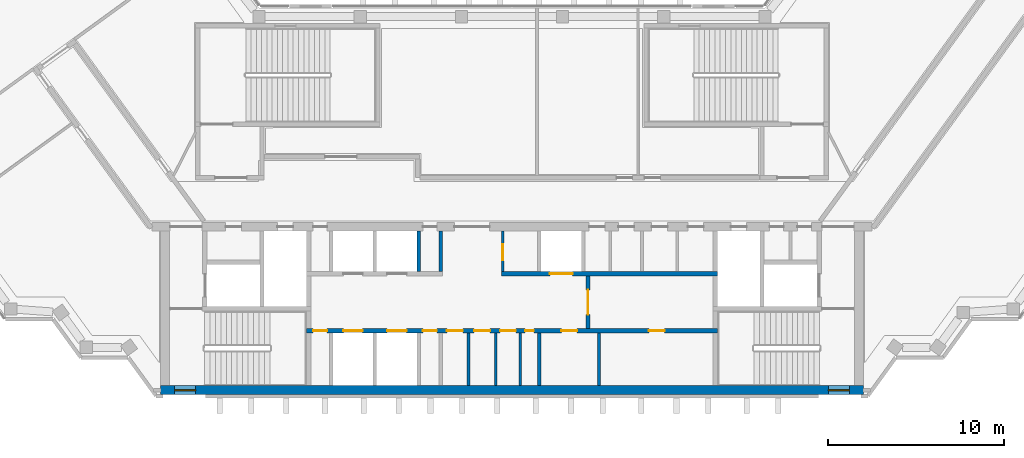
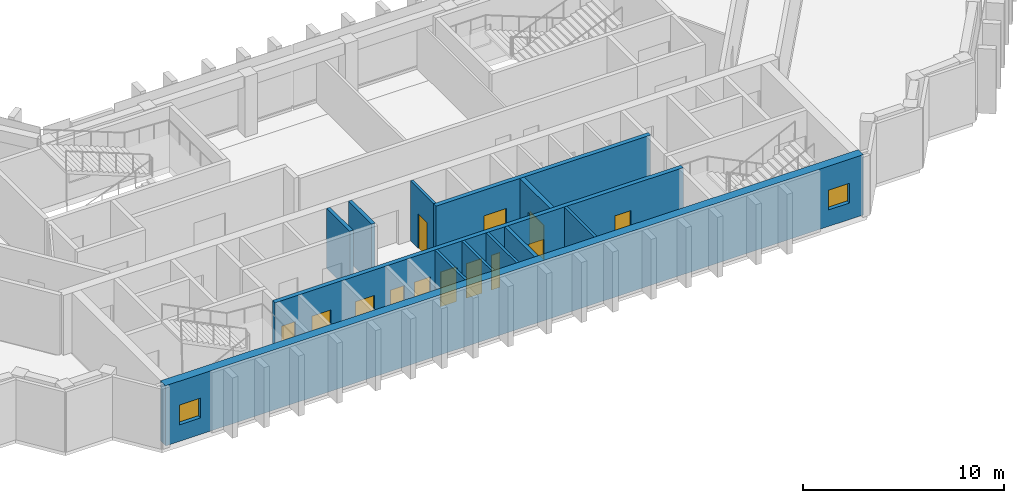
# One storey, part 4 of 8: 13 doors, 12 walls, 2 windows, 15 openings.
"""IFC4 building model written with IfcOpenShell, lengths in metres."""

from ifc_helpers import new_model, si_unit, direction, frame, frame_2d, origin, place, context, subcontext, project, spatial, rectangle, extrude, material, layer, layer_set, type_object, element, fill, save


model = new_model("IFC4")

# Units and contexts
model_context = context("Model", 3, precision=1e-05, world=origin(), true_north=direction((0.0, 1.0)))
body_context = subcontext(model_context, "Body", "Model", "MODEL_VIEW")
ifc_project = project(units=[si_unit("LENGTHUNIT", "METRE"), si_unit("AREAUNIT", "SQUARE_METRE"), si_unit("VOLUMEUNIT", "CUBIC_METRE"), si_unit("PLANEANGLEUNIT", "RADIAN"), si_unit("MASSUNIT", "GRAM", prefix="KILO")], contexts=[model_context])

# Site, building, storey
site_placement = place(None, origin())
site = spatial("IfcSite", under=ifc_project, at=site_placement, CompositionType="ELEMENT")
building_placement = place(site_placement, origin())
building = spatial("IfcBuilding", under=site, at=building_placement, Name="Quipu Civic Tower", CompositionType="ELEMENT")
storey_placement = place(building_placement, frame((0.0, 0.0, 289.0)))
storey = spatial("IfcBuildingStorey", under=building, at=storey_placement, Name="L67", CompositionType="ELEMENT", Elevation=289.0)

# Wall, openings, doors
ifc_material_1 = material(Name="Concrete C70/85", Category="concrete")
ifc_layer_1 = layer(ifc_material_1, 0.25)
ifc_layer_set_1 = layer_set([ifc_layer_1], Name="Concrete C70/85")
wall_type_1 = type_object("IfcWallType", Name="Core wall 250", PredefinedType="SHEAR", material=ifc_layer_set_1)
wall_1_placement = place(storey_placement, frame((11.699951171875, -7.375, 0.0), z_axis=(0.0, 0.0, 1.0), x_axis=(-1.0, 0.0, 0.0)))
wall_1 = element("IfcWall", 1, at=wall_1_placement, inside=storey, type_object=wall_type_1, Name="Core wall", PredefinedType="SHEAR", context=body_context, shape_type="SweptSolid", body=[
    extrude(rectangle(XDim=23.39990234375, YDim=0.25, at=frame_2d((11.699951171875, 0.0))), origin(), (0.0, 0.0, 1.0), 3.64990234375),
])
opening_1_placement = place(wall_1_placement, frame((22.22509765625, 0.0, 0.0)))
opening_1 = element("IfcOpeningElement", 2, at=opening_1_placement, cuts=wall_1, Name="Opening CD-01", PredefinedType="OPENING", context=body_context, shape_type="SweptSolid", body=[
    extrude(rectangle(XDim=0.800048828125, YDim=2.10009765625, at=frame_2d((0.39990234375, 1.050048828125))), frame((0.0, 0.135009765625, 0.0), z_axis=(0.0, -1.0, 0.0), x_axis=(1.0, 0.0, 0.0)), (0.0, 0.0, 1.0), 0.27001953125),
])
opening_2_placement = place(wall_1_placement, frame((20.199951171875, 0.0, 0.0)))
opening_2 = element("IfcOpeningElement", 3, at=opening_2_placement, cuts=wall_1, Name="Opening LD-HL1", PredefinedType="OPENING", context=body_context, shape_type="SweptSolid", body=[
    extrude(rectangle(XDim=1.10009765625, YDim=2.10009765625, at=frame_2d((0.550048828125, 1.050048828125))), frame((0.0, 0.135009765625, 0.0), z_axis=(0.0, -1.0, 0.0), x_axis=(1.0, 0.0, 0.0)), (0.0, 0.0, 1.0), 0.27001953125),
])
opening_3_placement = place(wall_1_placement, frame((17.699951171875, 0.0, 0.0)))
opening_3 = element("IfcOpeningElement", 4, at=opening_3_placement, cuts=wall_1, Name="Opening LD-HL2", PredefinedType="OPENING", context=body_context, shape_type="SweptSolid", body=[
    extrude(rectangle(XDim=1.10009765625, YDim=2.10009765625, at=frame_2d((0.550048828125, 1.050048828125))), frame((0.0, 0.135009765625, 0.0), z_axis=(0.0, -1.0, 0.0), x_axis=(1.0, 0.0, 0.0)), (0.0, 0.0, 1.0), 0.27001953125),
])
opening_4_placement = place(wall_1_placement, frame((15.97509765625, 0.0, 0.0)))
opening_4 = element("IfcOpeningElement", 5, at=opening_4_placement, cuts=wall_1, Name="Opening CD-02", PredefinedType="OPENING", context=body_context, shape_type="SweptSolid", body=[
    extrude(rectangle(XDim=0.800048828125, YDim=2.10009765625, at=frame_2d((0.39990234375, 1.050048828125))), frame((0.0, 0.135009765625, 0.0), z_axis=(0.0, -1.0, 0.0), x_axis=(1.0, 0.0, 0.0)), (0.0, 0.0, 1.0), 0.27001953125),
])
opening_5_placement = place(wall_1_placement, frame((14.5, 0.0, 0.0)))
opening_5 = element("IfcOpeningElement", 6, at=opening_5_placement, cuts=wall_1, Name="Opening CD-03", PredefinedType="OPENING", context=body_context, shape_type="SweptSolid", body=[
    extrude(rectangle(XDim=0.89990234375, YDim=2.10009765625, at=frame_2d((0.449951171875, 1.050048828125))), frame((0.0, 0.135009765625, 0.0), z_axis=(0.0, -1.0, 0.0), x_axis=(1.0, 0.0, 0.0)), (0.0, 0.0, 1.0), 0.27001953125),
])
opening_6_placement = place(wall_1_placement, frame((12.949951171875, 0.0, 0.0)))
opening_6 = element("IfcOpeningElement", 7, at=opening_6_placement, cuts=wall_1, Name="Opening CD-04", PredefinedType="OPENING", context=body_context, shape_type="SweptSolid", body=[
    extrude(rectangle(XDim=0.89990234375, YDim=2.10009765625, at=frame_2d((0.449951171875, 1.050048828125))), frame((0.0, 0.135009765625, 0.0), z_axis=(0.0, -1.0, 0.0), x_axis=(1.0, 0.0, 0.0)), (0.0, 0.0, 1.0), 0.27001953125),
])
opening_7_placement = place(wall_1_placement, frame((11.47509765625, 0.0, 0.0)))
opening_7 = element("IfcOpeningElement", 8, at=opening_7_placement, cuts=wall_1, Name="Opening CD-05", PredefinedType="OPENING", context=body_context, shape_type="SweptSolid", body=[
    extrude(rectangle(XDim=0.89990234375, YDim=2.10009765625, at=frame_2d((0.449951171875, 1.050048828125))), frame((0.0, 0.135009765625, 0.0), z_axis=(0.0, -1.0, 0.0), x_axis=(1.0, 0.0, 0.0)), (0.0, 0.0, 1.0), 0.27001953125),
])
opening_8_placement = place(wall_1_placement, frame((10.449951171875, 0.0, 0.0)))
opening_8 = element("IfcOpeningElement", 9, at=opening_8_placement, cuts=wall_1, Name="Opening CD-06", PredefinedType="OPENING", context=body_context, shape_type="SweptSolid", body=[
    extrude(rectangle(XDim=0.5, YDim=2.10009765625, at=frame_2d((0.25, 1.050048828125))), frame((0.0, 0.135009765625, 0.0), z_axis=(0.0, -1.0, 0.0), x_axis=(1.0, 0.0, 0.0)), (0.0, 0.0, 1.0), 0.27001953125),
])
opening_9_placement = place(wall_1_placement, frame((7.987060546875, 0.0, 0.0)))
opening_9 = element("IfcOpeningElement", 10, at=opening_9_placement, cuts=wall_1, Name="Opening CD-07", PredefinedType="OPENING", context=body_context, shape_type="SweptSolid", body=[
    extrude(rectangle(XDim=0.89990234375, YDim=2.10009765625, at=frame_2d((0.449951171875, 1.050048828125))), frame((0.0, 0.135009765625, 0.0), z_axis=(0.0, -1.0, 0.0), x_axis=(1.0, 0.0, 0.0)), (0.0, 0.0, 1.0), 0.27001953125),
])
opening_10_placement = place(wall_1_placement, frame((3.011962890625, 0.0, 0.0)))
opening_10 = element("IfcOpeningElement", 11, at=opening_10_placement, cuts=wall_1, Name="Opening CD-08", PredefinedType="OPENING", context=body_context, shape_type="SweptSolid", body=[
    extrude(rectangle(XDim=0.89990234375, YDim=2.10009765625, at=frame_2d((0.449951171875, 1.050048828125))), frame((0.0, 0.135009765625, 0.0), z_axis=(0.0, -1.0, 0.0), x_axis=(1.0, 0.0, 0.0)), (0.0, 0.0, 1.0), 0.27001953125),
])
ifc_material_2 = material(Name="Fire rated steel door", Category="steel")
door_type_1 = type_object("IfcDoorType", Name="Fire door FD60 500 x 2100", OperationType="NOTDEFINED", PredefinedType="DOOR", material=ifc_material_2)
door_1_placement = place(opening_8_placement, origin())
door_1 = element("IfcDoor", 12, at=door_1_placement, inside=storey, type_object=door_type_1, Name="Door", OperationType="SINGLE_SWING_LEFT", OverallHeight=2.10009765625, OverallWidth=0.5, PredefinedType="DOOR", context=body_context, shape_type="SweptSolid", body=[
    extrude(rectangle(XDim=0.5, YDim=2.10009765625, at=frame_2d((0.25, 1.050048828125))), frame((0.0, 0.02490234375, 0.0), z_axis=(0.0, -1.0, 0.0), x_axis=(1.0, 0.0, 0.0)), (0.0, 0.0, 1.0), 0.050048828125),
])
fill(opening_8, door_1)
ifc_material_3 = material(Name="Fire rated steel door", Category="steel")
door_type_2 = type_object("IfcDoorType", Name="Fire door FD60 800 x 2100", OperationType="NOTDEFINED", PredefinedType="DOOR", material=ifc_material_3)
door_2_placement = place(opening_1_placement, origin())
door_2 = element("IfcDoor", 13, at=door_2_placement, inside=storey, type_object=door_type_2, Name="Door", OperationType="SINGLE_SWING_RIGHT", OverallHeight=2.10009765625, OverallWidth=0.800048828125, PredefinedType="DOOR", context=body_context, shape_type="SweptSolid", body=[
    extrude(rectangle(XDim=0.800048828125, YDim=2.10009765625, at=frame_2d((0.39990234375, 1.050048828125))), frame((0.0, 0.02490234375, 0.0), z_axis=(0.0, -1.0, 0.0), x_axis=(1.0, 0.0, 0.0)), (0.0, 0.0, 1.0), 0.050048828125),
])
fill(opening_1, door_2)
door_3_placement = place(opening_4_placement, origin())
door_3 = element("IfcDoor", 14, at=door_3_placement, inside=storey, type_object=door_type_2, Name="Door", OperationType="SINGLE_SWING_RIGHT", OverallHeight=2.10009765625, OverallWidth=0.800048828125, PredefinedType="DOOR", context=body_context, shape_type="SweptSolid", body=[
    extrude(rectangle(XDim=0.800048828125, YDim=2.10009765625, at=frame_2d((0.39990234375, 1.050048828125))), frame((0.0, 0.02490234375, 0.0), z_axis=(0.0, -1.0, 0.0), x_axis=(1.0, 0.0, 0.0)), (0.0, 0.0, 1.0), 0.050048828125),
])
fill(opening_4, door_3)
ifc_material_4 = material(Name="Fire rated steel door", Category="steel")
door_type_3 = type_object("IfcDoorType", Name="Fire door FD60 900 x 2100", OperationType="NOTDEFINED", PredefinedType="DOOR", material=ifc_material_4)
door_4_placement = place(opening_5_placement, origin())
door_4 = element("IfcDoor", 15, at=door_4_placement, inside=storey, type_object=door_type_3, Name="WC door", OperationType="SINGLE_SWING_RIGHT", OverallHeight=2.10009765625, OverallWidth=0.89990234375, PredefinedType="DOOR", context=body_context, shape_type="SweptSolid", body=[
    extrude(rectangle(XDim=0.89990234375, YDim=2.10009765625, at=frame_2d((0.449951171875, 1.050048828125))), frame((0.0, 0.02490234375, 0.0), z_axis=(0.0, -1.0, 0.0), x_axis=(1.0, 0.0, 0.0)), (0.0, 0.0, 1.0), 0.050048828125),
])
fill(opening_5, door_4)
door_5_placement = place(opening_6_placement, origin())
door_5 = element("IfcDoor", 16, at=door_5_placement, inside=storey, type_object=door_type_3, Name="WC door", OperationType="SINGLE_SWING_RIGHT", OverallHeight=2.10009765625, OverallWidth=0.89990234375, PredefinedType="DOOR", context=body_context, shape_type="SweptSolid", body=[
    extrude(rectangle(XDim=0.89990234375, YDim=2.10009765625, at=frame_2d((0.449951171875, 1.050048828125))), frame((0.0, 0.02490234375, 0.0), z_axis=(0.0, -1.0, 0.0), x_axis=(1.0, 0.0, 0.0)), (0.0, 0.0, 1.0), 0.050048828125),
])
fill(opening_6, door_5)
door_6_placement = place(opening_7_placement, origin())
door_6 = element("IfcDoor", 17, at=door_6_placement, inside=storey, type_object=door_type_3, Name="WC door", OperationType="SINGLE_SWING_RIGHT", OverallHeight=2.10009765625, OverallWidth=0.89990234375, PredefinedType="DOOR", context=body_context, shape_type="SweptSolid", body=[
    extrude(rectangle(XDim=0.89990234375, YDim=2.10009765625, at=frame_2d((0.449951171875, 1.050048828125))), frame((0.0, 0.02490234375, 0.0), z_axis=(0.0, -1.0, 0.0), x_axis=(1.0, 0.0, 0.0)), (0.0, 0.0, 1.0), 0.050048828125),
])
fill(opening_7, door_6)
door_7_placement = place(opening_9_placement, origin())
door_7 = element("IfcDoor", 18, at=door_7_placement, inside=storey, type_object=door_type_3, Name="Door", OperationType="SINGLE_SWING_LEFT", OverallHeight=2.10009765625, OverallWidth=0.89990234375, PredefinedType="DOOR", context=body_context, shape_type="SweptSolid", body=[
    extrude(rectangle(XDim=0.89990234375, YDim=2.10009765625, at=frame_2d((0.449951171875, 1.050048828125))), frame((0.0, 0.02490234375, 0.0), z_axis=(0.0, -1.0, 0.0), x_axis=(1.0, 0.0, 0.0)), (0.0, 0.0, 1.0), 0.050048828125),
])
fill(opening_9, door_7)
door_8_placement = place(opening_10_placement, origin())
door_8 = element("IfcDoor", 19, at=door_8_placement, inside=storey, type_object=door_type_3, Name="Door", OperationType="SINGLE_SWING_LEFT", OverallHeight=2.10009765625, OverallWidth=0.89990234375, PredefinedType="DOOR", context=body_context, shape_type="SweptSolid", body=[
    extrude(rectangle(XDim=0.89990234375, YDim=2.10009765625, at=frame_2d((0.449951171875, 1.050048828125))), frame((0.0, 0.02490234375, 0.0), z_axis=(0.0, -1.0, 0.0), x_axis=(1.0, 0.0, 0.0)), (0.0, 0.0, 1.0), 0.050048828125),
])
fill(opening_10, door_8)
ifc_material_5 = material(Name="Stainless steel", Category="steel")
door_type_4 = type_object("IfcDoorType", Name="Lift landing door 1100 x 2100", OperationType="DOUBLE_DOOR_SLIDING", PredefinedType="DOOR", material=ifc_material_5)
door_9_placement = place(opening_2_placement, origin())
door_9 = element("IfcDoor", 20, at=door_9_placement, inside=storey, type_object=door_type_4, Name="Landing door HL1", OperationType="DOUBLE_DOOR_SLIDING", OverallHeight=2.10009765625, OverallWidth=1.10009765625, PredefinedType="DOOR", context=body_context, shape_type="SweptSolid", body=[
    extrude(rectangle(XDim=1.10009765625, YDim=2.10009765625, at=frame_2d((0.550048828125, 1.050048828125))), frame((0.0, 0.02490234375, 0.0), z_axis=(0.0, -1.0, 0.0), x_axis=(1.0, 0.0, 0.0)), (0.0, 0.0, 1.0), 0.050048828125),
])
fill(opening_2, door_9)
door_10_placement = place(opening_3_placement, origin())
door_10 = element("IfcDoor", 21, at=door_10_placement, inside=storey, type_object=door_type_4, Name="Landing door HL2", OperationType="DOUBLE_DOOR_SLIDING", OverallHeight=2.10009765625, OverallWidth=1.10009765625, PredefinedType="DOOR", context=body_context, shape_type="SweptSolid", body=[
    extrude(rectangle(XDim=1.10009765625, YDim=2.10009765625, at=frame_2d((0.550048828125, 1.050048828125))), frame((0.0, 0.02490234375, 0.0), z_axis=(0.0, -1.0, 0.0), x_axis=(1.0, 0.0, 0.0)), (0.0, 0.0, 1.0), 0.050048828125),
])
fill(opening_3, door_10)

# Wall, opening, door
wall_2_placement = place(storey_placement, frame((4.324951171875, -7.25, 0.0), z_axis=(0.0, 0.0, 1.0), x_axis=(0.0, 1.0, 0.0)))
wall_2 = element("IfcWall", 22, at=wall_2_placement, inside=storey, type_object=wall_type_1, Name="Core wall", PredefinedType="SHEAR", context=body_context, shape_type="SweptSolid", body=[
    extrude(rectangle(XDim=3.0, YDim=0.25, at=frame_2d((1.5, 0.0))), origin(), (0.0, 0.0, 1.0), 3.64990234375),
])
opening_11_placement = place(wall_2_placement, frame((0.800048828125, 0.0, 0.0)))
opening_11 = element("IfcOpeningElement", 23, at=opening_11_placement, cuts=wall_2, Name="Opening CD-11", PredefinedType="OPENING", context=body_context, shape_type="SweptSolid", body=[
    extrude(rectangle(XDim=1.39990234375, YDim=2.10009765625, at=frame_2d((0.699951171875, 1.050048828125))), frame((0.0, 0.135009765625, 0.0), z_axis=(0.0, -1.0, 0.0), x_axis=(1.0, 0.0, 0.0)), (0.0, 0.0, 1.0), 0.27001953125),
])
ifc_material_6 = material(Name="Fire rated steel door", Category="steel")
door_type_5 = type_object("IfcDoorType", Name="Fire door FD60 double 1400 x 2100", OperationType="NOTDEFINED", PredefinedType="DOOR", material=ifc_material_6)
door_11_placement = place(opening_11_placement, origin())
door_11 = element("IfcDoor", 24, at=door_11_placement, inside=storey, type_object=door_type_5, Name="Hall door", OperationType="DOUBLE_DOOR_SINGLE_SWING", OverallHeight=2.10009765625, OverallWidth=1.39990234375, PredefinedType="DOOR", context=body_context, shape_type="SweptSolid", body=[
    extrude(rectangle(XDim=1.39990234375, YDim=2.10009765625, at=frame_2d((0.699951171875, 1.050048828125))), frame((0.0, 0.02490234375, 0.0), z_axis=(0.0, -1.0, 0.0), x_axis=(1.0, 0.0, 0.0)), (0.0, 0.0, 1.0), 0.050048828125),
])
fill(opening_11, door_11)

wall_3_placement = place(storey_placement, frame((-0.60009765625, -4.125, 0.0), z_axis=(0.0, 0.0, 1.0), x_axis=(1.0, 0.0, 0.0)))
wall_3 = element("IfcWall", 25, at=wall_3_placement, inside=storey, type_object=wall_type_1, Name="Core wall", PredefinedType="SHEAR", context=body_context, shape_type="SweptSolid", body=[
    extrude(rectangle(XDim=12.300048828125, YDim=0.25, at=frame_2d((6.14990234375, 0.0))), origin(), (0.0, 0.0, 1.0), 3.64990234375),
])
opening_12_placement = place(wall_3_placement, frame((2.75, 0.0, 0.0)))
opening_12 = element("IfcOpeningElement", 26, at=opening_12_placement, cuts=wall_3, Name="Opening LD-FF3", PredefinedType="OPENING", context=body_context, shape_type="SweptSolid", body=[
    extrude(rectangle(XDim=1.300048828125, YDim=2.10009765625, at=frame_2d((0.64990234375, 1.050048828125))), frame((0.0, 0.135009765625, 0.0), z_axis=(0.0, -1.0, 0.0), x_axis=(1.0, 0.0, 0.0)), (0.0, 0.0, 1.0), 0.27001953125),
])
ifc_material_7 = material(Name="Stainless steel", Category="steel")
door_type_6 = type_object("IfcDoorType", Name="Lift landing door 1300 x 2100", OperationType="DOUBLE_DOOR_SLIDING", PredefinedType="DOOR", material=ifc_material_7)
door_12_placement = place(opening_12_placement, origin())
door_12 = element("IfcDoor", 27, at=door_12_placement, inside=storey, type_object=door_type_6, Name="Landing door FF3", OperationType="DOUBLE_DOOR_SLIDING", OverallHeight=2.10009765625, OverallWidth=1.300048828125, PredefinedType="DOOR", context=body_context, shape_type="SweptSolid", body=[
    extrude(rectangle(XDim=1.300048828125, YDim=2.10009765625, at=frame_2d((0.64990234375, 1.050048828125))), frame((0.0, 0.02490234375, 0.0), z_axis=(0.0, -1.0, 0.0), x_axis=(1.0, 0.0, 0.0)), (0.0, 0.0, 1.0), 0.050048828125),
])
fill(opening_12, door_12)

# Wall, openings, windows
ifc_material_8 = material(Name="Concrete C70/85", Category="concrete")
ifc_layer_2 = layer(ifc_material_8, 0.5)
ifc_layer_set_2 = layer_set([ifc_layer_2], Name="Concrete C70/85")
wall_type_2 = type_object("IfcWallType", Name="Core wall 500", PredefinedType="SHEAR", material=ifc_layer_set_2)
wall_4_placement = place(storey_placement, frame((-20.0, -10.75, 0.0), z_axis=(0.0, 0.0, 1.0), x_axis=(1.0, 0.0, 0.0)))
wall_4 = element("IfcWall", 28, at=wall_4_placement, inside=storey, type_object=wall_type_2, Name="Core wall", PredefinedType="SHEAR", context=body_context, shape_type="SweptSolid", body=[
    extrude(rectangle(XDim=40.0, YDim=0.5, at=frame_2d((20.0, 0.0))), origin(), (0.0, 0.0, 1.0), 3.64990234375),
])
opening_13_placement = place(wall_4_placement, frame((0.800048828125, 0.0, 1.0)))
opening_13 = element("IfcOpeningElement", 29, at=opening_13_placement, cuts=wall_4, Name="Opening SV-1", PredefinedType="OPENING", context=body_context, shape_type="SweptSolid", body=[
    extrude(rectangle(XDim=1.199951171875, YDim=1.199951171875, at=frame_2d((0.60009765625, 0.60009765625))), frame((0.0, 0.260009765625, 0.0), z_axis=(0.0, -1.0, 0.0), x_axis=(1.0, 0.0, 0.0)), (0.0, 0.0, 1.0), 0.52001953125),
])
opening_14_placement = place(wall_4_placement, frame((38.0, 0.0, 1.0)))
opening_14 = element("IfcOpeningElement", 30, at=opening_14_placement, cuts=wall_4, Name="Opening SV-2", PredefinedType="OPENING", context=body_context, shape_type="SweptSolid", body=[
    extrude(rectangle(XDim=1.199951171875, YDim=1.199951171875, at=frame_2d((0.60009765625, 0.60009765625))), frame((0.0, 0.260009765625, 0.0), z_axis=(0.0, -1.0, 0.0), x_axis=(1.0, 0.0, 0.0)), (0.0, 0.0, 1.0), 0.52001953125),
])
ifc_material_9 = material(Name="Aluminium louvre", Category="aluminium")
window_type = type_object("IfcWindowType", Name="Stair ventilation louvre 1200 x 1200", PartitioningType="SINGLE_PANEL", PredefinedType="WINDOW", material=ifc_material_9)
window_1_placement = place(opening_13_placement, origin())
window_1 = element("IfcWindow", 31, at=window_1_placement, inside=storey, type_object=window_type, Name="Stair ventilation opening", OverallHeight=1.199951171875, OverallWidth=1.199951171875, PartitioningType="SINGLE_PANEL", PredefinedType="WINDOW", context=body_context, shape_type="SweptSolid", body=[
    extrude(rectangle(XDim=1.199951171875, YDim=1.199951171875, at=frame_2d((0.60009765625, 0.60009765625))), frame((0.0, 0.030029296875, 0.0), z_axis=(0.0, -1.0, 0.0), x_axis=(1.0, 0.0, 0.0)), (0.0, 0.0, 1.0), 0.06005859375),
])
fill(opening_13, window_1)
window_2_placement = place(opening_14_placement, origin())
window_2 = element("IfcWindow", 32, at=window_2_placement, inside=storey, type_object=window_type, Name="Stair ventilation opening", OverallHeight=1.199951171875, OverallWidth=1.199951171875, PartitioningType="SINGLE_PANEL", PredefinedType="WINDOW", context=body_context, shape_type="SweptSolid", body=[
    extrude(rectangle(XDim=1.199951171875, YDim=1.199951171875, at=frame_2d((0.60009765625, 0.60009765625))), frame((0.0, 0.030029296875, 0.0), z_axis=(0.0, -1.0, 0.0), x_axis=(1.0, 0.0, 0.0)), (0.0, 0.0, 1.0), 0.06005859375),
])
fill(opening_14, window_2)

# Walls
ifc_material_10 = material(Name="Gypsum board partition")
ifc_layer_3 = layer(ifc_material_10, 0.14990234375)
ifc_layer_set_3 = layer_set([ifc_layer_3], Name="Gypsum board partition")
wall_type_3 = type_object("IfcWallType", Name="Partition 150", PredefinedType="PARTITIONING", material=ifc_layer_set_3)
for number, where, z_axis, x_axis, name in (
    (33, (-2.47509765625, -10.5, 0.0), (0.0, 0.0, 1.0), (0.0, 1.0, 0.0), "Partition"),
    (34, (-0.925048828125, -10.5, 0.0), (0.0, 0.0, 1.0), (0.0, 1.0, 0.0), "Partition"),
    (35, (0.47509765625, -10.5, 0.0), (0.0, 0.0, 1.0), (0.0, 1.0, 0.0), "Partition"),
    (36, (4.949951171875, -10.5, 0.0), (0.0, 0.0, 1.0), (0.0, 1.0, 0.0), "Partition"),
):
    element("IfcWall", number, at=place(storey_placement, frame(where, z_axis=z_axis, x_axis=x_axis)), inside=storey, type_object=wall_type_3, Name=name, PredefinedType="PARTITIONING", context=body_context, shape_type="SweptSolid", body=[
        extrude(rectangle(XDim=3.0, YDim=0.14990234375, at=frame_2d((1.5, 0.0))), origin(), (0.0, 0.0, 1.0), 3.64990234375),
    ])

# Wall, opening, door
wall_5_placement = place(storey_placement, frame((-0.52490234375, -4.0, 0.0), z_axis=(0.0, 0.0, 1.0), x_axis=(0.0, 1.0, 0.0)))
wall_5 = element("IfcWall", 37, at=wall_5_placement, inside=storey, type_object=wall_type_3, Name="Partition", PredefinedType="PARTITIONING", context=body_context, shape_type="SweptSolid", body=[
    extrude(rectangle(XDim=2.300048828125, YDim=0.14990234375, at=frame_2d((1.14990234375, 0.0))), origin(), (0.0, 0.0, 1.0), 3.64990234375),
])
opening_15_placement = place(wall_5_placement, frame((0.64990234375, 0.0, 0.0)))
opening_15 = element("IfcOpeningElement", 38, at=opening_15_placement, cuts=wall_5, Name="Opening CD-12", PredefinedType="OPENING", context=body_context, shape_type="SweptSolid", body=[
    extrude(rectangle(XDim=0.89990234375, YDim=2.10009765625, at=frame_2d((0.449951171875, 1.050048828125))), frame((0.0, 0.0849609375, 0.0), z_axis=(0.0, -1.0, 0.0), x_axis=(1.0, 0.0, 0.0)), (0.0, 0.0, 1.0), 0.169921875),
])
door_13_placement = place(opening_15_placement, origin())
door_13 = element("IfcDoor", 39, at=door_13_placement, inside=storey, type_object=door_type_3, Name="WC door", OperationType="SINGLE_SWING_LEFT", OverallHeight=2.10009765625, OverallWidth=0.89990234375, PredefinedType="DOOR", context=body_context, shape_type="SweptSolid", body=[
    extrude(rectangle(XDim=0.89990234375, YDim=2.10009765625, at=frame_2d((0.449951171875, 1.050048828125))), frame((0.0, 0.02490234375, 0.0), z_axis=(0.0, -1.0, 0.0), x_axis=(1.0, 0.0, 0.0)), (0.0, 0.0, 1.0), 0.050048828125),
])
fill(opening_15, door_13)

# Walls
ifc_material_11 = material(Name="Concrete C40/50", Category="concrete")
ifc_layer_4 = layer(ifc_material_11, 0.199951171875)
ifc_layer_set_4 = layer_set([ifc_layer_4], Name="Concrete C40/50")
wall_type_4 = type_object("IfcWallType", Name="Shaft wall 200", PredefinedType="SOLIDWALL", material=ifc_layer_set_4)
wall_6_placement = place(storey_placement, frame((1.550048828125, -10.5, 0.0), z_axis=(0.0, 0.0, 1.0), x_axis=(0.0, 1.0, 0.0)))
element("IfcWall", 40, at=wall_6_placement, inside=storey, type_object=wall_type_4, Name="Shaft wall", PredefinedType="SOLIDWALL", context=body_context, shape_type="SweptSolid", body=[
    extrude(rectangle(XDim=3.0, YDim=0.199951171875, at=frame_2d((1.5, 0.0))), origin(), (0.0, 0.0, 1.0), 3.64990234375),
])
for number, where, z_axis, x_axis, name in (
    (41, (-5.300048828125, -4.0, 0.0), (0.0, 0.0, 1.0), (0.0, 1.0, 0.0), "Shaft wall"),
    (42, (-4.050048828125, -4.0, 0.0), (0.0, 0.0, 1.0), (0.0, 1.0, 0.0), "Shaft wall"),
):
    element("IfcWall", number, at=place(storey_placement, frame(where, z_axis=z_axis, x_axis=x_axis)), inside=storey, type_object=wall_type_4, Name=name, PredefinedType="SOLIDWALL", context=body_context, shape_type="SweptSolid", body=[
        extrude(rectangle(XDim=2.300048828125, YDim=0.199951171875, at=frame_2d((1.14990234375, 0.0))), origin(), (0.0, 0.0, 1.0), 3.64990234375),
    ])

save(model, "model.ifc")
